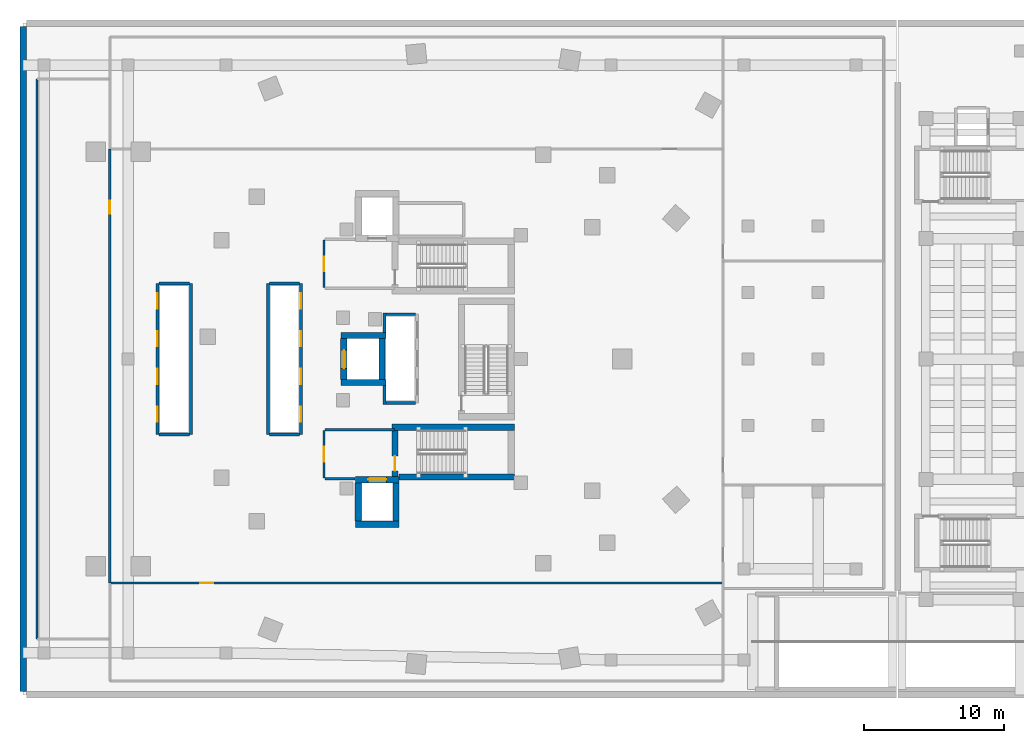
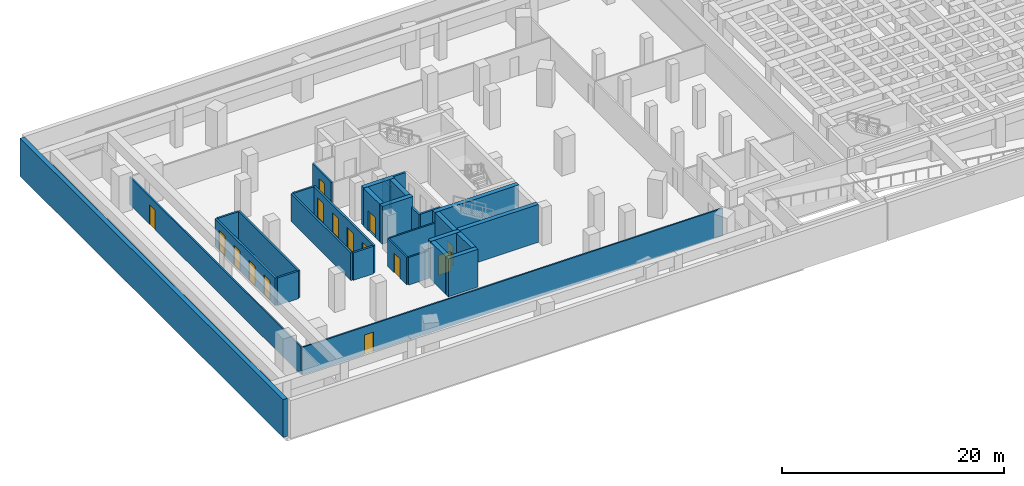
# One storey, part 7 of 13: 31 walls, 15 doors, 15 openings.
"""IFC4 building model written with IfcOpenShell, lengths in metres."""

from ifc_helpers import new_model, si_unit, direction, frame, frame_2d, origin, place, context, subcontext, project, spatial, rectangle, extrude, material, layer, layer_set, type_object, element, fill, save


model = new_model("IFC4")

# Units and contexts
model_context = context("Model", 3, precision=1e-05, world=origin(), true_north=direction((0.0, 1.0)))
body_context = subcontext(model_context, "Body", "Model", "MODEL_VIEW")
ifc_project = project(units=[si_unit("LENGTHUNIT", "METRE"), si_unit("AREAUNIT", "SQUARE_METRE"), si_unit("VOLUMEUNIT", "CUBIC_METRE"), si_unit("PLANEANGLEUNIT", "RADIAN"), si_unit("MASSUNIT", "GRAM", prefix="KILO")], contexts=[model_context])

# Site, building, storey
site_placement = place(None, origin())
site = spatial("IfcSite", under=ifc_project, at=site_placement, CompositionType="ELEMENT")
building_placement = place(site_placement, origin())
building = spatial("IfcBuilding", under=site, at=building_placement, Name="Korentha Bioscience Tower", CompositionType="ELEMENT")
storey_placement = place(building_placement, frame((0.0, 0.0, -4.5)))
storey = spatial("IfcBuildingStorey", under=building, at=storey_placement, Name="B1", CompositionType="ELEMENT", Elevation=-4.5)

# Wall, opening, door
ifc_material_1 = material(Name="Double-Stud Acoustic Gypsum", Category="gypsum")
ifc_layer_1 = layer(ifc_material_1, 0.14990234375, Name="Double-Stud Acoustic Gypsum")
ifc_layer_set_1 = layer_set([ifc_layer_1], Name="Double-Stud Acoustic Gypsum (IW-L150)")
wall_type_1 = type_object("IfcWallType", Name="Acoustic Laboratory Partition Wall 150", PredefinedType="PARTITIONING", material=ifc_layer_set_1)
wall_1_placement = place(storey_placement, frame((8.18994140625, 42.0, 0.0), z_axis=(0.0, 0.0, 1.0), x_axis=(0.0, -1.0, 0.0)))
wall_1 = element("IfcWall", 1, at=wall_1_placement, inside=storey, type_object=wall_type_1, Name="B1 B1 Electric Vehicle & Accessible Parking Aisle West Entrance Wall", PredefinedType="PARTITIONING", context=body_context, shape_type="SweptSolid", body=[
    extrude(rectangle(XDim=31.0, YDim=0.14990234375, at=frame_2d((15.5, 0.0))), origin(), (0.0, 0.0, 1.0), 3.0400390625),
])
opening_1_placement = place(wall_1_placement, frame((3.680908203125, 0.0, 0.0)))
opening_1 = element("IfcOpeningElement", 2, at=opening_1_placement, cuts=wall_1, Name="Opening ID-10R", PredefinedType="OPENING", context=body_context, shape_type="SweptSolid", body=[
    extrude(rectangle(XDim=0.949951171875, YDim=2.14990234375, at=frame_2d((0.47509765625, 1.074951171875))), frame((0.0, 0.08984375, 0.0), z_axis=(0.0, -1.0, 0.0), x_axis=(1.0, 0.0, 0.0)), (0.0, 0.0, 1.0), 0.1796875),
])
ifc_material_2 = material(Name="Phenolic Laminate Timber Core", Category="wood")
door_type_1 = type_object("IfcDoorType", Name="Laboratory Single Leaf Door 950x2150 Right", OperationType="SINGLE_SWING_RIGHT", PredefinedType="DOOR", material=ifc_material_2)
door_1_placement = place(opening_1_placement, origin())
door_1 = element("IfcDoor", 3, at=door_1_placement, inside=storey, type_object=door_type_1, Name="B1 B1 Electric Vehicle & Accessible Parking Aisle West Door", OperationType="SINGLE_SWING_RIGHT", OverallHeight=2.14990234375, OverallWidth=0.949951171875, PredefinedType="DOOR", context=body_context, shape_type="SweptSolid", body=[
    extrude(rectangle(XDim=0.949951171875, YDim=2.14990234375, at=frame_2d((0.47509765625, 1.074951171875))), frame((0.0, 0.02490234375, 0.0), z_axis=(0.0, -1.0, 0.0), x_axis=(1.0, 0.0, 0.0)), (0.0, 0.0, 1.0), 0.050048828125),
])
fill(opening_1, door_1)

wall_2_placement = place(storey_placement, frame((8.2099609375, 10.989990234375, 0.0), z_axis=(0.0, 0.0, 1.0), x_axis=(1.0, 0.0, 0.0)))
wall_2 = element("IfcWall", 4, at=wall_2_placement, inside=storey, type_object=wall_type_1, Name="B1 B1 Bioscience Fleet & Van Parking South Entrance Wall", PredefinedType="PARTITIONING", context=body_context, shape_type="SweptSolid", body=[
    extrude(rectangle(XDim=43.7900390625, YDim=0.14990234375, at=frame_2d((21.89501953125, 0.0))), origin(), (0.0, 0.0, 1.0), 3.0400390625),
])
opening_2_placement = place(wall_2_placement, frame((6.435302734375, 0.0, 0.0)))
opening_2 = element("IfcOpeningElement", 5, at=opening_2_placement, cuts=wall_2, Name="Opening ID-10R", PredefinedType="OPENING", context=body_context, shape_type="SweptSolid", body=[
    extrude(rectangle(XDim=0.949951171875, YDim=2.14990234375, at=frame_2d((0.47509765625, 1.074951171875))), frame((0.0, 0.08984375, 0.0), z_axis=(0.0, -1.0, 0.0), x_axis=(1.0, 0.0, 0.0)), (0.0, 0.0, 1.0), 0.1796875),
])
door_2_placement = place(opening_2_placement, origin())
door_2 = element("IfcDoor", 6, at=door_2_placement, inside=storey, type_object=door_type_1, Name="B1 B1 Bioscience Fleet & Van Parking South Door", OperationType="SINGLE_SWING_RIGHT", OverallHeight=2.14990234375, OverallWidth=0.949951171875, PredefinedType="DOOR", context=body_context, shape_type="SweptSolid", body=[
    extrude(rectangle(XDim=0.949951171875, YDim=2.14990234375, at=frame_2d((0.47509765625, 1.074951171875))), frame((0.0, 0.02490234375, 0.0), z_axis=(0.0, -1.0, 0.0), x_axis=(1.0, 0.0, 0.0)), (0.0, 0.0, 1.0), 0.050048828125),
])
fill(opening_2, door_2)

# Walls
wall_3_placement = place(storey_placement, frame((3.0, 7.0, 0.0), z_axis=(0.0, 0.0, 1.0), x_axis=(0.0, 1.0, 0.0)))
element("IfcWall", 7, at=wall_3_placement, inside=storey, type_object=wall_type_1, Name="B1 Interior Partition 011", PredefinedType="PARTITIONING", context=body_context, shape_type="SweptSolid", body=[
    extrude(rectangle(XDim=40.0, YDim=0.14990234375, at=frame_2d((20.0, 0.0))), origin(), (0.0, 0.0, 1.0), 3.0400390625),
])
ifc_material_3 = material(Name="Concrete C50", Category="concrete")
ifc_layer_2 = layer(ifc_material_3, 0.449951171875, Name="Concrete C50")
ifc_layer_set_2 = layer_set([ifc_layer_2], Name="Concrete C50 (RW-01)")
wall_type_2 = type_object("IfcWallType", Name="Basement Perimeter Retaining Wall 450", PredefinedType="USERDEFINED", material=ifc_layer_set_2)
wall_4_placement = place(storey_placement, frame((2.0, 3.25, 0.0), z_axis=(0.0, 0.0, 1.0), x_axis=(0.0, 1.0, 0.0)))
element("IfcWall", 8, at=wall_4_placement, inside=storey, type_object=wall_type_2, Name="B1 Retaining Liner Wall W", ObjectType="RETAININGWALL", PredefinedType="USERDEFINED", context=body_context, shape_type="SweptSolid", body=[
    extrude(rectangle(XDim=47.5, YDim=0.449951171875, at=frame_2d((23.75, 0.0))), origin(), (0.0, 0.0, 1.0), 4.181884765625),
])

# Wall, opening, door
ifc_material_4 = material(Name="Gypsum-Clad Steel Stud", Category="steel")
ifc_layer_3 = layer(ifc_material_4, 0.159912109375, Name="Gypsum-Clad Steel Stud")
ifc_layer_set_3 = layer_set([ifc_layer_3], Name="Gypsum-Clad Steel Stud (IW-C160)")
wall_type_3 = type_object("IfcWallType", Name="Fire-Rated Corridor Partition Wall 160", PredefinedType="PARTITIONING", material=ifc_layer_set_3)
wall_5_placement = place(storey_placement, frame((23.5, 32.10009765625, 0.0), z_axis=(0.0, 0.0, 1.0), x_axis=(0.0, 1.0, 0.0)))
wall_5 = element("IfcWall", 9, at=wall_5_placement, inside=storey, type_object=wall_type_3, Name="B1 FFLN-CW Rated Enclosure Wall", PredefinedType="PARTITIONING", context=body_context, shape_type="SweptSolid", body=[
    extrude(rectangle(XDim=3.39990234375, YDim=0.159912109375, at=frame_2d((1.699951171875, 0.0))), origin(), (0.0, 0.0, 1.0), 3.0400390625),
])
opening_3_placement = place(wall_5_placement, frame((1.175048828125, 0.0, 0.0)))
opening_3 = element("IfcOpeningElement", 10, at=opening_3_placement, cuts=wall_5, Name="Opening FD-90R", PredefinedType="OPENING", context=body_context, shape_type="SweptSolid", body=[
    extrude(rectangle(XDim=1.050048828125, YDim=2.14990234375, at=frame_2d((0.52490234375, 1.074951171875))), frame((0.0, 0.0947265625, 0.0), z_axis=(0.0, -1.0, 0.0), x_axis=(1.0, 0.0, 0.0)), (0.0, 0.0, 1.0), 0.189697265625),
])
ifc_material_5 = material(Name="Powder-Coated Fire-Rated Steel", Category="steel")
door_type_2 = type_object("IfcDoorType", Name="Stairwell Fire Exit Door 1050x2150 Right", OperationType="SINGLE_SWING_RIGHT", PredefinedType="DOOR", material=ifc_material_5)
door_3_placement = place(opening_3_placement, origin())
door_3 = element("IfcDoor", 11, at=door_3_placement, inside=storey, type_object=door_type_2, Name="B1 North Firefighting Lobby Door", OperationType="SINGLE_SWING_RIGHT", OverallHeight=2.14990234375, OverallWidth=1.050048828125, PredefinedType="DOOR", context=body_context, shape_type="SweptSolid", body=[
    extrude(rectangle(XDim=1.050048828125, YDim=2.14990234375, at=frame_2d((0.52490234375, 1.074951171875))), frame((0.0, 0.02490234375, 0.0), z_axis=(0.0, -1.0, 0.0), x_axis=(1.0, 0.0, 0.0)), (0.0, 0.0, 1.0), 0.050048828125),
])
fill(opening_3, door_3)

wall_6_placement = place(storey_placement, frame((23.5, 18.5, 0.0), z_axis=(0.0, 0.0, 1.0), x_axis=(0.0, 1.0, 0.0)))
wall_6 = element("IfcWall", 12, at=wall_6_placement, inside=storey, type_object=wall_type_3, Name="B1 FFLS-CW Rated Enclosure Wall", PredefinedType="PARTITIONING", context=body_context, shape_type="SweptSolid", body=[
    extrude(rectangle(XDim=3.39990234375, YDim=0.159912109375, at=frame_2d((1.699951171875, 0.0))), origin(), (0.0, 0.0, 1.0), 3.0400390625),
])
opening_4_placement = place(wall_6_placement, frame((1.175048828125, 0.0, 0.0)))
opening_4 = element("IfcOpeningElement", 13, at=opening_4_placement, cuts=wall_6, Name="Opening FD-90R", PredefinedType="OPENING", context=body_context, shape_type="SweptSolid", body=[
    extrude(rectangle(XDim=1.050048828125, YDim=2.14990234375, at=frame_2d((0.52490234375, 1.074951171875))), frame((0.0, 0.0947265625, 0.0), z_axis=(0.0, -1.0, 0.0), x_axis=(1.0, 0.0, 0.0)), (0.0, 0.0, 1.0), 0.189697265625),
])
door_4_placement = place(opening_4_placement, origin())
door_4 = element("IfcDoor", 14, at=door_4_placement, inside=storey, type_object=door_type_2, Name="B1 South Firefighting Lobby Door", OperationType="SINGLE_SWING_RIGHT", OverallHeight=2.14990234375, OverallWidth=1.050048828125, PredefinedType="DOOR", context=body_context, shape_type="SweptSolid", body=[
    extrude(rectangle(XDim=1.050048828125, YDim=2.14990234375, at=frame_2d((0.52490234375, 1.074951171875))), frame((0.0, 0.02490234375, 0.0), z_axis=(0.0, -1.0, 0.0), x_axis=(1.0, 0.0, 0.0)), (0.0, 0.0, 1.0), 0.050048828125),
])
fill(opening_4, door_4)

# Walls
wall_7_placement = place(storey_placement, frame((23.580078125, 21.949951171875, 0.0), z_axis=(0.0, 0.0, 1.0), x_axis=(1.0, 0.0, 0.0)))
element("IfcWall", 15, at=wall_7_placement, inside=storey, type_object=wall_type_3, Name="B1 Firefighting Lobby Return Wall FFLS-N", PredefinedType="PARTITIONING", context=body_context, shape_type="SweptSolid", body=[
    extrude(rectangle(XDim=4.969970703125, YDim=0.159912109375, at=frame_2d((2.48486328125, 0.0))), origin(), (0.0, 0.0, 1.0), 3.0400390625),
])
wall_8_placement = place(storey_placement, frame((23.580078125, 18.449951171875, 0.0), z_axis=(0.0, 0.0, 1.0), x_axis=(1.0, 0.0, 0.0)))
element("IfcWall", 16, at=wall_8_placement, inside=storey, type_object=wall_type_3, Name="B1 Firefighting Lobby Return Wall FFLS-S", PredefinedType="PARTITIONING", context=body_context, shape_type="SweptSolid", body=[
    extrude(rectangle(XDim=2.119873046875, YDim=0.159912109375, at=frame_2d((1.06005859375, 0.0))), origin(), (0.0, 0.0, 1.0), 3.0400390625),
])

# Wall, openings, doors
ifc_material_6 = material(Name="Autoclaved Aerated Concrete Block C25", Category="concrete")
ifc_layer_4 = layer(ifc_material_6, 0.199951171875, Name="Autoclaved Aerated Concrete Block C25")
ifc_layer_set_4 = layer_set([ifc_layer_4], Name="Autoclaved Aerated Concrete Block C25 (IW-S200)")
wall_type_4 = type_object("IfcWallType", Name="Lift and Riser Shaft Enclosure Wall 200", PredefinedType="PARTITIONING", material=ifc_layer_set_4)
wall_9_placement = place(storey_placement, frame((11.60009765625, 21.60009765625, 0.0), z_axis=(0.0, 0.0, 1.0), x_axis=(0.0, 1.0, 0.0)))
wall_9 = element("IfcWall", 17, at=wall_9_placement, inside=storey, type_object=wall_type_4, Name="B1 Lift Bank LOW Shaft Wall -X", PredefinedType="PARTITIONING", context=body_context, shape_type="SweptSolid", body=[
    extrude(rectangle(XDim=10.7998046875, YDim=0.199951171875, at=frame_2d((5.39990234375, 0.0))), origin(), (0.0, 0.0, 1.0), 3.0400390625),
])
opening_5_placement = place(wall_9_placement, frame((0.89990234375, 0.0, 0.0)))
opening_5 = element("IfcOpeningElement", 18, at=opening_5_placement, cuts=wall_9, Name="Opening LD-11", PredefinedType="OPENING", context=body_context, shape_type="SweptSolid", body=[
    extrude(rectangle(XDim=1.10009765625, YDim=2.199951171875, at=frame_2d((0.550048828125, 1.10009765625))), frame((0.0, 0.11474609375, 0.0), z_axis=(0.0, -1.0, 0.0), x_axis=(1.0, 0.0, 0.0)), (0.0, 0.0, 1.0), 0.229736328125),
])
opening_6_placement = place(wall_9_placement, frame((3.60009765625, 0.0, 0.0)))
opening_6 = element("IfcOpeningElement", 19, at=opening_6_placement, cuts=wall_9, Name="Opening LD-11", PredefinedType="OPENING", context=body_context, shape_type="SweptSolid", body=[
    extrude(rectangle(XDim=1.10009765625, YDim=2.199951171875, at=frame_2d((0.550048828125, 1.10009765625))), frame((0.0, 0.11474609375, 0.0), z_axis=(0.0, -1.0, 0.0), x_axis=(1.0, 0.0, 0.0)), (0.0, 0.0, 1.0), 0.229736328125),
])
opening_7_placement = place(wall_9_placement, frame((6.300048828125, 0.0, 0.0)))
opening_7 = element("IfcOpeningElement", 20, at=opening_7_placement, cuts=wall_9, Name="Opening LD-11", PredefinedType="OPENING", context=body_context, shape_type="SweptSolid", body=[
    extrude(rectangle(XDim=1.10009765625, YDim=2.199951171875, at=frame_2d((0.550048828125, 1.10009765625))), frame((0.0, 0.11474609375, 0.0), z_axis=(0.0, -1.0, 0.0), x_axis=(1.0, 0.0, 0.0)), (0.0, 0.0, 1.0), 0.229736328125),
])
opening_8_placement = place(wall_9_placement, frame((9.0, 0.0, 0.0)))
opening_8 = element("IfcOpeningElement", 21, at=opening_8_placement, cuts=wall_9, Name="Opening LD-11", PredefinedType="OPENING", context=body_context, shape_type="SweptSolid", body=[
    extrude(rectangle(XDim=1.10009765625, YDim=2.199951171875, at=frame_2d((0.550048828125, 1.10009765625))), frame((0.0, 0.11474609375, 0.0), z_axis=(0.0, -1.0, 0.0), x_axis=(1.0, 0.0, 0.0)), (0.0, 0.0, 1.0), 0.229736328125),
])
ifc_material_7 = material(Name="Brushed Stainless Steel 304", Category="steel")
door_type_3 = type_object("IfcDoorType", Name="Passenger Lift Sliding Landing Door 1100x2200", OperationType="DOUBLE_DOOR_SLIDING", PredefinedType="DOOR", material=ifc_material_7)
door_5_placement = place(opening_5_placement, origin())
door_5 = element("IfcDoor", 22, at=door_5_placement, inside=storey, type_object=door_type_3, Name="B1 PL-L1 Sliding Lift Landing Door", OperationType="DOUBLE_DOOR_SLIDING", OverallHeight=2.199951171875, OverallWidth=1.10009765625, PredefinedType="DOOR", context=body_context, shape_type="SweptSolid", body=[
    extrude(rectangle(XDim=1.10009765625, YDim=2.199951171875, at=frame_2d((0.550048828125, 1.10009765625))), frame((0.0, 0.02490234375, 0.0), z_axis=(0.0, -1.0, 0.0), x_axis=(1.0, 0.0, 0.0)), (0.0, 0.0, 1.0), 0.050048828125),
])
fill(opening_5, door_5)
door_6_placement = place(opening_6_placement, origin())
door_6 = element("IfcDoor", 23, at=door_6_placement, inside=storey, type_object=door_type_3, Name="B1 PL-L2 Sliding Lift Landing Door", OperationType="DOUBLE_DOOR_SLIDING", OverallHeight=2.199951171875, OverallWidth=1.10009765625, PredefinedType="DOOR", context=body_context, shape_type="SweptSolid", body=[
    extrude(rectangle(XDim=1.10009765625, YDim=2.199951171875, at=frame_2d((0.550048828125, 1.10009765625))), frame((0.0, 0.02490234375, 0.0), z_axis=(0.0, -1.0, 0.0), x_axis=(1.0, 0.0, 0.0)), (0.0, 0.0, 1.0), 0.050048828125),
])
fill(opening_6, door_6)
door_7_placement = place(opening_7_placement, origin())
door_7 = element("IfcDoor", 24, at=door_7_placement, inside=storey, type_object=door_type_3, Name="B1 PL-L3 Sliding Lift Landing Door", OperationType="DOUBLE_DOOR_SLIDING", OverallHeight=2.199951171875, OverallWidth=1.10009765625, PredefinedType="DOOR", context=body_context, shape_type="SweptSolid", body=[
    extrude(rectangle(XDim=1.10009765625, YDim=2.199951171875, at=frame_2d((0.550048828125, 1.10009765625))), frame((0.0, 0.02490234375, 0.0), z_axis=(0.0, -1.0, 0.0), x_axis=(1.0, 0.0, 0.0)), (0.0, 0.0, 1.0), 0.050048828125),
])
fill(opening_7, door_7)
door_8_placement = place(opening_8_placement, origin())
door_8 = element("IfcDoor", 25, at=door_8_placement, inside=storey, type_object=door_type_3, Name="B1 PL-L4 Sliding Lift Landing Door", OperationType="DOUBLE_DOOR_SLIDING", OverallHeight=2.199951171875, OverallWidth=1.10009765625, PredefinedType="DOOR", context=body_context, shape_type="SweptSolid", body=[
    extrude(rectangle(XDim=1.10009765625, YDim=2.199951171875, at=frame_2d((0.550048828125, 1.10009765625))), frame((0.0, 0.02490234375, 0.0), z_axis=(0.0, -1.0, 0.0), x_axis=(1.0, 0.0, 0.0)), (0.0, 0.0, 1.0), 0.050048828125),
])
fill(opening_8, door_8)

# Walls
wall_10_placement = place(storey_placement, frame((14.0, 21.60009765625, 0.0), z_axis=(0.0, 0.0, 1.0), x_axis=(0.0, 1.0, 0.0)))
element("IfcWall", 26, at=wall_10_placement, inside=storey, type_object=wall_type_4, Name="B1 Lift Bank LOW Shaft Wall +X", PredefinedType="PARTITIONING", context=body_context, shape_type="SweptSolid", body=[
    extrude(rectangle(XDim=10.7998046875, YDim=0.199951171875, at=frame_2d((5.39990234375, 0.0))), origin(), (0.0, 0.0, 1.0), 3.0400390625),
])
for number, where, z_axis, x_axis, name in (
    (27, (11.719970703125, 21.60009765625, 0.0), (0.0, 0.0, 1.0), (1.0, 0.0, 0.0), "B1 Lift Bank LOW Shaft Wall -Y"),
    (28, (11.719970703125, 32.39990234375, 0.0), (0.0, 0.0, 1.0), (1.0, 0.0, 0.0), "B1 Lift Bank LOW Shaft Wall +Y"),
):
    element("IfcWall", number, at=place(storey_placement, frame(where, z_axis=z_axis, x_axis=x_axis)), inside=storey, type_object=wall_type_4, Name=name, PredefinedType="PARTITIONING", context=body_context, shape_type="SweptSolid", body=[
        extrude(rectangle(XDim=2.159912109375, YDim=0.199951171875, at=frame_2d((1.080078125, 0.0))), origin(), (0.0, 0.0, 1.0), 3.0400390625),
    ])
wall_11_placement = place(storey_placement, frame((19.5, 21.60009765625, 0.0), z_axis=(0.0, 0.0, 1.0), x_axis=(0.0, 1.0, 0.0)))
element("IfcWall", 29, at=wall_11_placement, inside=storey, type_object=wall_type_4, Name="B1 Lift Bank MID Shaft Wall -X", PredefinedType="PARTITIONING", context=body_context, shape_type="SweptSolid", body=[
    extrude(rectangle(XDim=10.7998046875, YDim=0.199951171875, at=frame_2d((5.39990234375, 0.0))), origin(), (0.0, 0.0, 1.0), 3.0400390625),
])

# Wall, openings, doors
wall_12_placement = place(storey_placement, frame((21.85009765625, 21.60009765625, 0.0), z_axis=(0.0, 0.0, 1.0), x_axis=(0.0, 1.0, 0.0)))
wall_12 = element("IfcWall", 30, at=wall_12_placement, inside=storey, type_object=wall_type_4, Name="B1 Lift Bank MID Shaft Wall +X", PredefinedType="PARTITIONING", context=body_context, shape_type="SweptSolid", body=[
    extrude(rectangle(XDim=10.7998046875, YDim=0.199951171875, at=frame_2d((5.39990234375, 0.0))), origin(), (0.0, 0.0, 1.0), 3.0400390625),
])
opening_9_placement = place(wall_12_placement, frame((0.89990234375, 0.0, 0.0)))
opening_9 = element("IfcOpeningElement", 31, at=opening_9_placement, cuts=wall_12, Name="Opening LD-11", PredefinedType="OPENING", context=body_context, shape_type="SweptSolid", body=[
    extrude(rectangle(XDim=1.10009765625, YDim=2.199951171875, at=frame_2d((0.550048828125, 1.10009765625))), frame((0.0, 0.11474609375, 0.0), z_axis=(0.0, -1.0, 0.0), x_axis=(1.0, 0.0, 0.0)), (0.0, 0.0, 1.0), 0.229736328125),
])
opening_10_placement = place(wall_12_placement, frame((3.60009765625, 0.0, 0.0)))
opening_10 = element("IfcOpeningElement", 32, at=opening_10_placement, cuts=wall_12, Name="Opening LD-11", PredefinedType="OPENING", context=body_context, shape_type="SweptSolid", body=[
    extrude(rectangle(XDim=1.10009765625, YDim=2.199951171875, at=frame_2d((0.550048828125, 1.10009765625))), frame((0.0, 0.11474609375, 0.0), z_axis=(0.0, -1.0, 0.0), x_axis=(1.0, 0.0, 0.0)), (0.0, 0.0, 1.0), 0.229736328125),
])
opening_11_placement = place(wall_12_placement, frame((6.300048828125, 0.0, 0.0)))
opening_11 = element("IfcOpeningElement", 33, at=opening_11_placement, cuts=wall_12, Name="Opening LD-11", PredefinedType="OPENING", context=body_context, shape_type="SweptSolid", body=[
    extrude(rectangle(XDim=1.10009765625, YDim=2.199951171875, at=frame_2d((0.550048828125, 1.10009765625))), frame((0.0, 0.11474609375, 0.0), z_axis=(0.0, -1.0, 0.0), x_axis=(1.0, 0.0, 0.0)), (0.0, 0.0, 1.0), 0.229736328125),
])
opening_12_placement = place(wall_12_placement, frame((9.0, 0.0, 0.0)))
opening_12 = element("IfcOpeningElement", 34, at=opening_12_placement, cuts=wall_12, Name="Opening LD-11", PredefinedType="OPENING", context=body_context, shape_type="SweptSolid", body=[
    extrude(rectangle(XDim=1.10009765625, YDim=2.199951171875, at=frame_2d((0.550048828125, 1.10009765625))), frame((0.0, 0.11474609375, 0.0), z_axis=(0.0, -1.0, 0.0), x_axis=(1.0, 0.0, 0.0)), (0.0, 0.0, 1.0), 0.229736328125),
])
door_9_placement = place(opening_9_placement, origin())
door_9 = element("IfcDoor", 35, at=door_9_placement, inside=storey, type_object=door_type_3, Name="B1 PL-M1 Sliding Lift Landing Door", OperationType="DOUBLE_DOOR_SLIDING", OverallHeight=2.199951171875, OverallWidth=1.10009765625, PredefinedType="DOOR", context=body_context, shape_type="SweptSolid", body=[
    extrude(rectangle(XDim=1.10009765625, YDim=2.199951171875, at=frame_2d((0.550048828125, 1.10009765625))), frame((0.0, 0.02490234375, 0.0), z_axis=(0.0, -1.0, 0.0), x_axis=(1.0, 0.0, 0.0)), (0.0, 0.0, 1.0), 0.050048828125),
])
fill(opening_9, door_9)
door_10_placement = place(opening_10_placement, origin())
door_10 = element("IfcDoor", 36, at=door_10_placement, inside=storey, type_object=door_type_3, Name="B1 PL-M2 Sliding Lift Landing Door", OperationType="DOUBLE_DOOR_SLIDING", OverallHeight=2.199951171875, OverallWidth=1.10009765625, PredefinedType="DOOR", context=body_context, shape_type="SweptSolid", body=[
    extrude(rectangle(XDim=1.10009765625, YDim=2.199951171875, at=frame_2d((0.550048828125, 1.10009765625))), frame((0.0, 0.02490234375, 0.0), z_axis=(0.0, -1.0, 0.0), x_axis=(1.0, 0.0, 0.0)), (0.0, 0.0, 1.0), 0.050048828125),
])
fill(opening_10, door_10)
door_11_placement = place(opening_11_placement, origin())
door_11 = element("IfcDoor", 37, at=door_11_placement, inside=storey, type_object=door_type_3, Name="B1 PL-M3 Sliding Lift Landing Door", OperationType="DOUBLE_DOOR_SLIDING", OverallHeight=2.199951171875, OverallWidth=1.10009765625, PredefinedType="DOOR", context=body_context, shape_type="SweptSolid", body=[
    extrude(rectangle(XDim=1.10009765625, YDim=2.199951171875, at=frame_2d((0.550048828125, 1.10009765625))), frame((0.0, 0.02490234375, 0.0), z_axis=(0.0, -1.0, 0.0), x_axis=(1.0, 0.0, 0.0)), (0.0, 0.0, 1.0), 0.050048828125),
])
fill(opening_11, door_11)
door_12_placement = place(opening_12_placement, origin())
door_12 = element("IfcDoor", 38, at=door_12_placement, inside=storey, type_object=door_type_3, Name="B1 PL-M4 Sliding Lift Landing Door", OperationType="DOUBLE_DOOR_SLIDING", OverallHeight=2.199951171875, OverallWidth=1.10009765625, PredefinedType="DOOR", context=body_context, shape_type="SweptSolid", body=[
    extrude(rectangle(XDim=1.10009765625, YDim=2.199951171875, at=frame_2d((0.550048828125, 1.10009765625))), frame((0.0, 0.02490234375, 0.0), z_axis=(0.0, -1.0, 0.0), x_axis=(1.0, 0.0, 0.0)), (0.0, 0.0, 1.0), 0.050048828125),
])
fill(opening_12, door_12)

# Walls
for number, where, z_axis, x_axis, name in (
    (39, (19.6201171875, 21.60009765625, 0.0), (0.0, 0.0, 1.0), (1.0, 0.0, 0.0), "B1 Lift Bank MID Shaft Wall -Y"),
    (40, (19.6201171875, 32.39990234375, 0.0), (0.0, 0.0, 1.0), (1.0, 0.0, 0.0), "B1 Lift Bank MID Shaft Wall +Y"),
):
    element("IfcWall", number, at=place(storey_placement, frame(where, z_axis=z_axis, x_axis=x_axis)), inside=storey, type_object=wall_type_4, Name=name, PredefinedType="PARTITIONING", context=body_context, shape_type="SweptSolid", body=[
        extrude(rectangle(XDim=2.10986328125, YDim=0.199951171875, at=frame_2d((1.054931640625, 0.0))), origin(), (0.0, 0.0, 1.0), 3.0400390625),
    ])
wall_13_placement = place(storey_placement, frame((27.830078125, 23.75, 0.0), z_axis=(0.0, 0.0, 1.0), x_axis=(0.0, 1.0, 0.0)))
element("IfcWall", 41, at=wall_13_placement, inside=storey, type_object=wall_type_4, Name="B1 Lift Bank HIGH Shaft Wall -XS", PredefinedType="PARTITIONING", context=body_context, shape_type="SweptSolid", body=[
    extrude(rectangle(XDim=1.341064453125, YDim=0.199951171875, at=frame_2d((0.67041015625, 0.0))), origin(), (0.0, 0.0, 1.0), 3.0400390625),
])
wall_14_placement = place(storey_placement, frame((27.830078125, 28.908935546875, 0.0), z_axis=(0.0, 0.0, 1.0), x_axis=(0.0, 1.0, 0.0)))
element("IfcWall", 42, at=wall_14_placement, inside=storey, type_object=wall_type_4, Name="B1 Lift Bank HIGH Shaft Wall -XN", PredefinedType="PARTITIONING", context=body_context, shape_type="SweptSolid", body=[
    extrude(rectangle(XDim=1.39111328125, YDim=0.199951171875, at=frame_2d((0.695556640625, 0.0))), origin(), (0.0, 0.0, 1.0), 3.0400390625),
])
for number, where, z_axis, x_axis, name in (
    (43, (27.93408203125, 23.85009765625, 0.0), (0.0, 0.0, 1.0), (1.0, 0.0, 0.0), "B1 Lift Bank HIGH Shaft Wall -Y"),
    (44, (27.93408203125, 30.199951171875, 0.0), (0.0, 0.0, 1.0), (1.0, 0.0, 0.0), "B1 Lift Bank HIGH Shaft Wall +Y"),
):
    element("IfcWall", number, at=place(storey_placement, frame(where, z_axis=z_axis, x_axis=x_axis)), inside=storey, type_object=wall_type_4, Name=name, PredefinedType="PARTITIONING", context=body_context, shape_type="SweptSolid", body=[
        extrude(rectangle(XDim=2.095947265625, YDim=0.199951171875, at=frame_2d((1.0478515625, 0.0))), origin(), (0.0, 0.0, 1.0), 3.0400390625),
    ])
ifc_material_8 = material(Name="Concrete C80", Category="concrete")
ifc_layer_5 = layer(ifc_material_8, 0.449951171875, Name="Concrete C80")
ifc_layer_set_5 = layer_set([ifc_layer_5], Name="Concrete C80 (CW-C80)")
wall_type_5 = type_object("IfcWallType", Name="Lower Core Shear Wall 450", PredefinedType="SHEAR", material=ifc_layer_set_5)
wall_15_placement = place(storey_placement, frame((28.85205078125, 18.574951171875, 0.0), z_axis=(0.0, 0.0, 1.0), x_axis=(1.0, 0.0, 0.0)))
element("IfcWall", 45, at=wall_15_placement, inside=storey, type_object=wall_type_5, Name="B1 Core Shear Wall ST2-S", PredefinedType="SHEAR", context=body_context, shape_type="SweptSolid", body=[
    extrude(rectangle(XDim=8.248046875, YDim=0.449951171875, at=frame_2d((4.1240234375, 0.0))), origin(), (0.0, 0.0, 1.0), 4.179931640625),
])
wall_16_placement = place(storey_placement, frame((28.35009765625, 22.125, 0.0), z_axis=(0.0, 0.0, 1.0), x_axis=(1.0, 0.0, 0.0)))
element("IfcWall", 46, at=wall_16_placement, inside=storey, type_object=wall_type_5, Name="B1 Core Shear Wall ST2-N", PredefinedType="SHEAR", context=body_context, shape_type="SweptSolid", body=[
    extrude(rectangle(XDim=8.75, YDim=0.449951171875, at=frame_2d((4.375, 0.0))), origin(), (0.0, 0.0, 1.0), 4.179931640625),
])

# Wall, opening, door
wall_17_placement = place(storey_placement, frame((28.574951171875, 18.60693359375, 0.0), z_axis=(0.0, 0.0, 1.0), x_axis=(0.0, 1.0, 0.0)))
wall_17 = element("IfcWall", 47, at=wall_17_placement, inside=storey, type_object=wall_type_5, Name="B1 Core Shear Wall ST2-W", PredefinedType="SHEAR", context=body_context, shape_type="SweptSolid", body=[
    extrude(rectangle(XDim=3.282958984375, YDim=0.449951171875, at=frame_2d((1.6416015625, 0.0))), origin(), (0.0, 0.0, 1.0), 4.179931640625),
])
opening_13_placement = place(wall_17_placement, frame((0.403076171875, 0.0, 0.0)))
opening_13 = element("IfcOpeningElement", 48, at=opening_13_placement, cuts=wall_17, Name="Opening FD-90R", PredefinedType="OPENING", context=body_context, shape_type="SweptSolid", body=[
    extrude(rectangle(XDim=1.050048828125, YDim=2.14990234375, at=frame_2d((0.52490234375, 1.074951171875))), frame((0.0, 0.23974609375, 0.0), z_axis=(0.0, -1.0, 0.0), x_axis=(1.0, 0.0, 0.0)), (0.0, 0.0, 1.0), 0.479736328125),
])
door_13_placement = place(opening_13_placement, origin())
door_13 = element("IfcDoor", 49, at=door_13_placement, inside=storey, type_object=door_type_2, Name="B1 ST-2 Fire Exit Stair Door", OperationType="SINGLE_SWING_RIGHT", OverallHeight=2.14990234375, OverallWidth=1.050048828125, PredefinedType="DOOR", context=body_context, shape_type="SweptSolid", body=[
    extrude(rectangle(XDim=1.050048828125, YDim=2.14990234375, at=frame_2d((0.52490234375, 1.074951171875))), frame((0.0, 0.02490234375, 0.0), z_axis=(0.0, -1.0, 0.0), x_axis=(1.0, 0.0, 0.0)), (0.0, 0.0, 1.0), 0.050048828125),
])
fill(opening_13, door_13)

# Wall
wall_18_placement = place(storey_placement, frame((25.75, 15.199951171875, 0.0), z_axis=(0.0, 0.0, 1.0), x_axis=(1.0, 0.0, 0.0)))
element("IfcWall", 50, at=wall_18_placement, inside=storey, type_object=wall_type_5, Name="B1 Core Shear Wall FFL1-S", PredefinedType="SHEAR", context=body_context, shape_type="SweptSolid", body=[
    extrude(rectangle(XDim=3.10009765625, YDim=0.449951171875, at=frame_2d((1.550048828125, 0.0))), origin(), (0.0, 0.0, 1.0), 4.179931640625),
])

# Wall, opening, door
wall_19_placement = place(storey_placement, frame((25.75, 18.3798828125, 0.0), z_axis=(0.0, 0.0, 1.0), x_axis=(1.0, 0.0, 0.0)))
wall_19 = element("IfcWall", 51, at=wall_19_placement, inside=storey, type_object=wall_type_5, Name="B1 Core Shear Wall FFL1-N", PredefinedType="SHEAR", context=body_context, shape_type="SweptSolid", body=[
    extrude(rectangle(XDim=3.10009765625, YDim=0.449951171875, at=frame_2d((1.550048828125, 0.0))), origin(), (0.0, 0.0, 1.0), 4.179931640625),
])
opening_14_placement = place(wall_19_placement, frame((0.89990234375, 0.0, 0.0)))
opening_14 = element("IfcOpeningElement", 52, at=opening_14_placement, cuts=wall_19, Name="Opening LD-13", PredefinedType="OPENING", context=body_context, shape_type="SweptSolid", body=[
    extrude(rectangle(XDim=1.300048828125, YDim=2.199951171875, at=frame_2d((0.64990234375, 1.10009765625))), frame((0.0, 0.23974609375, 0.0), z_axis=(0.0, -1.0, 0.0), x_axis=(1.0, 0.0, 0.0)), (0.0, 0.0, 1.0), 0.479736328125),
])
ifc_material_9 = material(Name="Brushed Stainless Steel 316", Category="steel")
door_type_4 = type_object("IfcDoorType", Name="Service & Firefighting Lift Landing Door 1300x2300", OperationType="DOUBLE_DOOR_SLIDING", PredefinedType="DOOR", material=ifc_material_9)
door_14_placement = place(opening_14_placement, origin())
door_14 = element("IfcDoor", 53, at=door_14_placement, inside=storey, type_object=door_type_4, Name="B1 FFL-1 Sliding Lift Landing Door", OperationType="DOUBLE_DOOR_SLIDING", OverallHeight=2.199951171875, OverallWidth=1.300048828125, PredefinedType="DOOR", context=body_context, shape_type="SweptSolid", body=[
    extrude(rectangle(XDim=1.300048828125, YDim=2.199951171875, at=frame_2d((0.64990234375, 1.10009765625))), frame((0.0, 0.02490234375, 0.0), z_axis=(0.0, -1.0, 0.0), x_axis=(1.0, 0.0, 0.0)), (0.0, 0.0, 1.0), 0.050048828125),
])
fill(opening_14, door_14)

# Walls
for number, where, z_axis, x_axis, name in (
    (54, (25.949951171875, 15.43994140625, 0.0), (0.0, 0.0, 1.0), (0.0, 1.0, 0.0), "B1 Core Shear Wall FFL1-W"),
    (55, (28.64990234375, 15.43994140625, 0.0), (0.0, 0.0, 1.0), (0.0, 1.0, 0.0), "B1 Core Shear Wall FFL1-E"),
):
    element("IfcWall", number, at=place(storey_placement, frame(where, z_axis=z_axis, x_axis=x_axis)), inside=storey, type_object=wall_type_5, Name=name, PredefinedType="SHEAR", context=body_context, shape_type="SweptSolid", body=[
        extrude(rectangle(XDim=2.699951171875, YDim=0.449951171875, at=frame_2d((1.35009765625, 0.0))), origin(), (0.0, 0.0, 1.0), 4.179931640625),
    ])
for number, where, z_axis, x_axis, name in (
    (56, (24.719970703125, 28.679931640625, 0.0), (0.0, 0.0, 1.0), (1.0, 0.0, 0.0), "B1 Core Shear Wall SVL1-N"),
    (57, (24.719970703125, 25.320068359375, 0.0), (0.0, 0.0, 1.0), (1.0, 0.0, 0.0), "B1 Core Shear Wall SVL1-S"),
):
    element("IfcWall", number, at=place(storey_placement, frame(where, z_axis=z_axis, x_axis=x_axis)), inside=storey, type_object=wall_type_5, Name=name, PredefinedType="SHEAR", context=body_context, shape_type="SweptSolid", body=[
        extrude(rectangle(XDim=3.2099609375, YDim=0.449951171875, at=frame_2d((1.60498046875, 0.0))), origin(), (0.0, 0.0, 1.0), 4.179931640625),
    ])

# Wall, opening, door
wall_20_placement = place(storey_placement, frame((24.919921875, 25.547119140625, 0.0), z_axis=(0.0, 0.0, 1.0), x_axis=(0.0, 1.0, 0.0)))
wall_20 = element("IfcWall", 58, at=wall_20_placement, inside=storey, type_object=wall_type_5, Name="B1 Core Shear Wall SVL1-W", PredefinedType="SHEAR", context=body_context, shape_type="SweptSolid", body=[
    extrude(rectangle(XDim=2.90576171875, YDim=0.449951171875, at=frame_2d((1.452880859375, 0.0))), origin(), (0.0, 0.0, 1.0), 4.179931640625),
])
opening_15_placement = place(wall_20_placement, frame((0.7900390625, 0.0, 0.0)))
opening_15 = element("IfcOpeningElement", 59, at=opening_15_placement, cuts=wall_20, Name="Opening LD-13", PredefinedType="OPENING", context=body_context, shape_type="SweptSolid", body=[
    extrude(rectangle(XDim=1.300048828125, YDim=2.199951171875, at=frame_2d((0.64990234375, 1.10009765625))), frame((0.0, 0.23974609375, 0.0), z_axis=(0.0, -1.0, 0.0), x_axis=(1.0, 0.0, 0.0)), (0.0, 0.0, 1.0), 0.479736328125),
])
door_15_placement = place(opening_15_placement, origin())
door_15 = element("IfcDoor", 60, at=door_15_placement, inside=storey, type_object=door_type_4, Name="B1 SVL-1 Sliding Lift Landing Door", OperationType="DOUBLE_DOOR_SLIDING", OverallHeight=2.199951171875, OverallWidth=1.300048828125, PredefinedType="DOOR", context=body_context, shape_type="SweptSolid", body=[
    extrude(rectangle(XDim=1.300048828125, YDim=2.199951171875, at=frame_2d((0.64990234375, 1.10009765625))), frame((0.0, 0.02490234375, 0.0), z_axis=(0.0, -1.0, 0.0), x_axis=(1.0, 0.0, 0.0)), (0.0, 0.0, 1.0), 0.050048828125),
])
fill(opening_15, door_15)

# Wall
wall_21_placement = place(storey_placement, frame((27.64990234375, 25.547119140625, 0.0), z_axis=(0.0, 0.0, 1.0), x_axis=(0.0, 1.0, 0.0)))
element("IfcWall", 61, at=wall_21_placement, inside=storey, type_object=wall_type_5, Name="B1 Core Shear Wall SVL1-E", PredefinedType="SHEAR", context=body_context, shape_type="SweptSolid", body=[
    extrude(rectangle(XDim=2.90576171875, YDim=0.449951171875, at=frame_2d((1.452880859375, 0.0))), origin(), (0.0, 0.0, 1.0), 4.179931640625),
])

save(model, "model.ifc")
